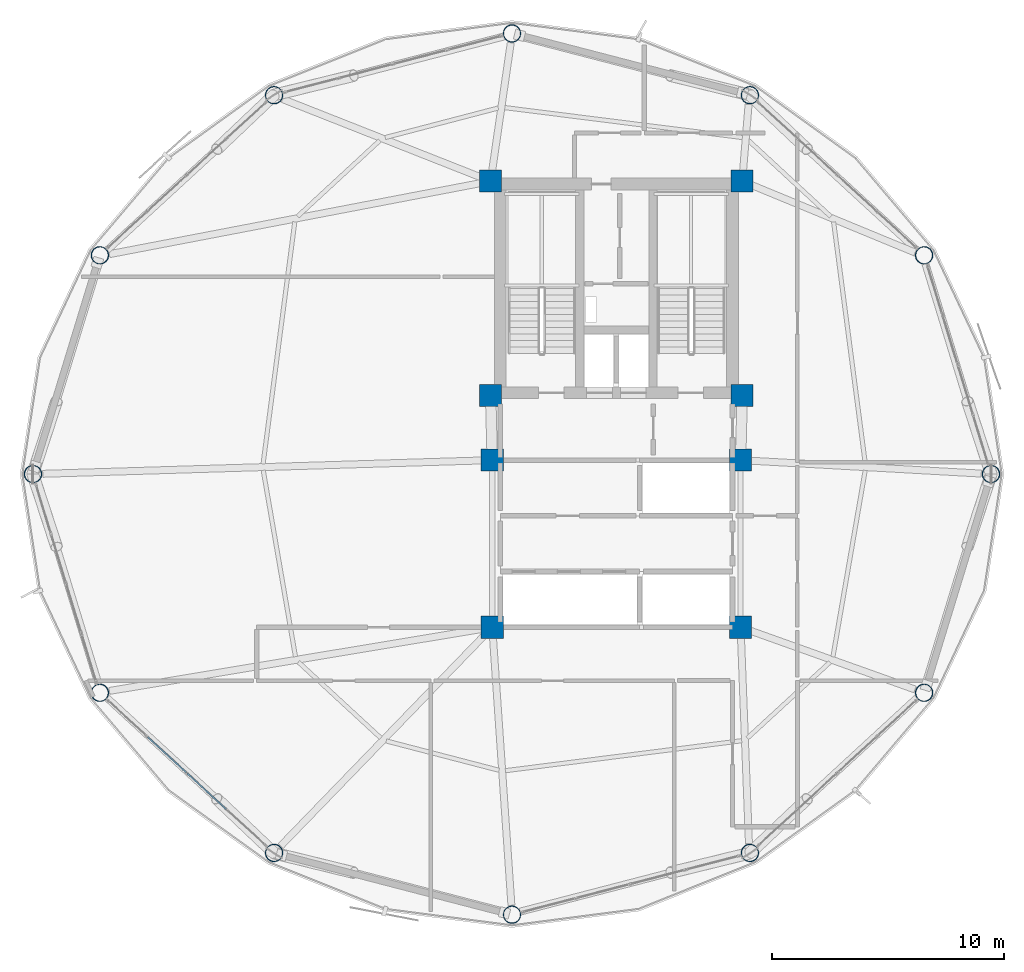
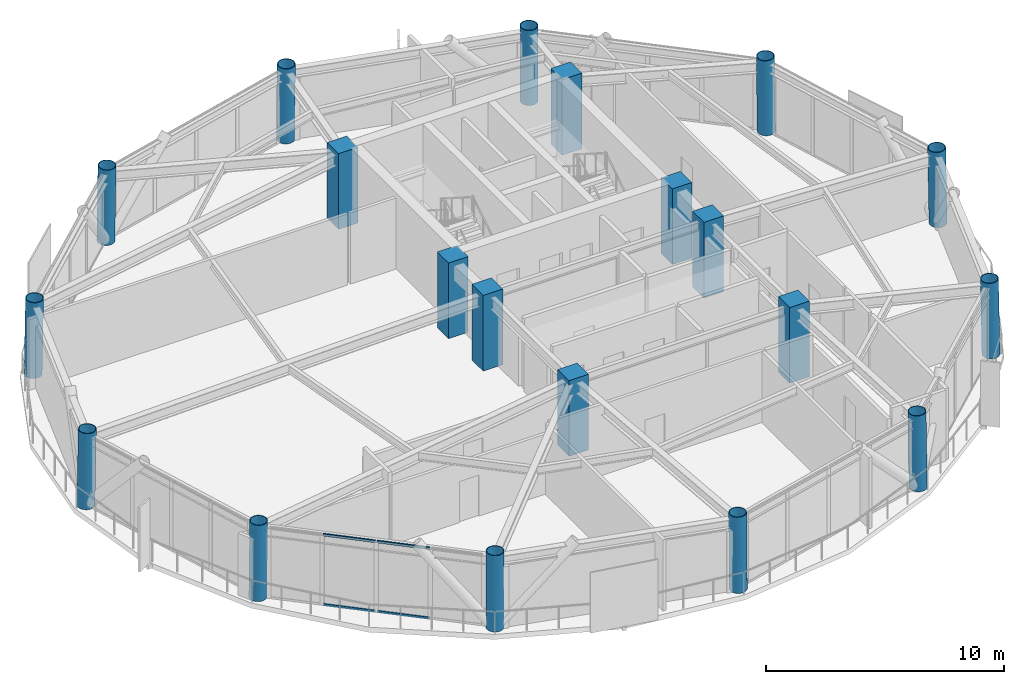
# One storey, part 1 of 25: 20 columns, 4 members, 1 element without a shape of its own.
"""IFC4 building model written with IfcOpenShell, lengths in metres."""

from ifc_helpers import new_model, si_unit, direction, frame, origin, origin_2d, place, context, subcontext, project, spatial, rectangle, hollow_rectangle, hollow_circle, extrude, material, layer, layer_set, material_profile, profile_set, type_object, element, aggregate, save


model = new_model("IFC4")

# Units and contexts
model_context = context("Model", 3, precision=1e-05, world=origin(), true_north=direction((0.0, 1.0)))
body_context = subcontext(model_context, "Body", "Model", "MODEL_VIEW")
ifc_project = project(units=[si_unit("LENGTHUNIT", "METRE"), si_unit("AREAUNIT", "SQUARE_METRE"), si_unit("VOLUMEUNIT", "CUBIC_METRE"), si_unit("PLANEANGLEUNIT", "RADIAN"), si_unit("MASSUNIT", "GRAM", prefix="KILO")], contexts=[model_context])

# Site, building, storey
site_placement = place(None, origin())
site = spatial("IfcSite", under=ifc_project, at=site_placement, CompositionType="ELEMENT")
building_placement = place(site_placement, origin())
building = spatial("IfcBuilding", under=site, at=building_placement, Name="Varnakorn Sky Granary", CompositionType="ELEMENT")
storey_placement = place(building_placement, frame((0.0, 0.0, 157.800048828125)))
storey = spatial("IfcBuildingStorey", under=building, at=storey_placement, Name="L39", CompositionType="ELEMENT", Elevation=157.800048828125)

# Columns
ifc_material_1 = material(Name="Steel S460M", Category="steel")
ifc_material_profile_1 = material_profile(ifc_material_1, hollow_circle(Radius=0.381103515625, WallThickness=0.028076171875, at=origin_2d()), Name="CHS 762x28")
ifc_profile_set_1 = profile_set([ifc_material_profile_1], Name="Steel S460M")
column_type_1 = type_object("IfcColumnType", Name="COL-DC-Z3", PredefinedType="COLUMN", material=ifc_profile_set_1)
for number, where, z_axis, x_axis, name in (
    (1, (19.14990234375, 0.0, 0.0), (-0.017260533083, 0.0, 0.999851025902), (0.0, -1.0, 0.0), "Drum Perimeter Column DC01 L39"),
    (2, (16.2666015625, 9.428955078125, 0.0), (-0.014992988439, -0.006173583475, 0.999868539941), (0.380749805254, -0.924678098475, 0.0), "Drum Perimeter Column DC02 L39"),
    (3, (8.757568359375, 16.33154296875, 0.0), (-0.008630730053, -0.010772663059, 0.999904725576), (0.780423354579, -0.625251459517, 0.0), "Drum Perimeter Column DC03 L39"),
):
    element("IfcColumn", number, at=place(storey_placement, frame(where, z_axis=z_axis, x_axis=x_axis)), inside=storey, type_object=column_type_1, Name=name, PredefinedType="COLUMN", context=body_context, shape_type="SweptSolid", body=[
        extrude(hollow_circle(Radius=0.381103515625, WallThickness=0.028076171875, at=origin_2d()), origin(), (0.0, 0.0, 1.0), 3.87548828125),
    ])
column_1_placement = place(storey_placement, frame((-1.5, 18.992919921875, 0.0), z_axis=(0.0, -0.012347848881, 0.999923762408), x_axis=(1.0, 0.0, 0.0)))
element("IfcColumn", 4, at=column_1_placement, inside=storey, type_object=column_type_1, Name="Drum Perimeter Column DC04 L39", PredefinedType="COLUMN", context=body_context, shape_type="SweptSolid", body=[
    extrude(hollow_circle(Radius=0.381103515625, WallThickness=0.028076171875, at=origin_2d()), origin(), (0.0, 0.0, 1.0), 3.875244140625),
])
for number, where, z_axis, x_axis, name in (
    (5, (-11.757568359375, 16.33154296875, 0.0), (0.008630730053, -0.010772663059, 0.999904725576), (0.780423354579, 0.625251459517, 0.0), "Drum Perimeter Column DC05 L39"),
    (6, (-19.2666015625, 9.428955078125, 0.0), (0.014992988439, -0.006173583475, 0.999868539941), (0.380749805254, 0.924678098475, 0.0), "Drum Perimeter Column DC06 L39"),
    (7, (-22.14990234375, 0.0, 0.0), (0.017260533083, 0.0, 0.999851025902), (0.0, 1.0, 0.0), "Drum Perimeter Column DC07 L39"),
    (8, (-19.2666015625, -9.428955078125, 0.0), (0.014992988439, 0.006173583475, 0.999868539941), (-0.380749805254, 0.924678098475, 0.0), "Drum Perimeter Column DC08 L39"),
    (9, (-11.757568359375, -16.33154296875, 0.0), (0.008630730053, 0.010772663059, 0.999904725576), (-0.780423354579, 0.625251459517, 0.0), "Drum Perimeter Column DC09 L39"),
):
    element("IfcColumn", number, at=place(storey_placement, frame(where, z_axis=z_axis, x_axis=x_axis)), inside=storey, type_object=column_type_1, Name=name, PredefinedType="COLUMN", context=body_context, shape_type="SweptSolid", body=[
        extrude(hollow_circle(Radius=0.381103515625, WallThickness=0.028076171875, at=origin_2d()), origin(), (0.0, 0.0, 1.0), 3.87548828125),
    ])
column_2_placement = place(storey_placement, frame((-1.5, -18.992919921875, 0.0), z_axis=(0.0, 0.012347848881, 0.999923762408), x_axis=(-1.0, 0.0, 0.0)))
element("IfcColumn", 10, at=column_2_placement, inside=storey, type_object=column_type_1, Name="Drum Perimeter Column DC10 L39", PredefinedType="COLUMN", context=body_context, shape_type="SweptSolid", body=[
    extrude(hollow_circle(Radius=0.381103515625, WallThickness=0.028076171875, at=origin_2d()), origin(), (0.0, 0.0, 1.0), 3.875244140625),
])
for number, where, z_axis, x_axis, name in (
    (11, (8.757568359375, -16.33154296875, 0.0), (-0.008630730053, 0.010772663059, 0.999904725576), (-0.780423354579, -0.625251459517, 0.0), "Drum Perimeter Column DC11 L39"),
    (12, (16.2666015625, -9.428955078125, 0.0), (-0.014992988439, 0.006173583475, 0.999868539941), (-0.380749805254, -0.924678098475, 0.0), "Drum Perimeter Column DC12 L39"),
):
    element("IfcColumn", number, at=place(storey_placement, frame(where, z_axis=z_axis, x_axis=x_axis)), inside=storey, type_object=column_type_1, Name=name, PredefinedType="COLUMN", context=body_context, shape_type="SweptSolid", body=[
        extrude(hollow_circle(Radius=0.381103515625, WallThickness=0.028076171875, at=origin_2d()), origin(), (0.0, 0.0, 1.0), 3.87548828125),
    ])
ifc_material_2 = material(Name="Concrete C50/60", Category="concrete")
ifc_material_profile_2 = material_profile(ifc_material_2, rectangle(XDim=0.949951171875, YDim=0.949951171875, at=origin_2d()), Name="RC 950x950")
ifc_profile_set_2 = profile_set([ifc_material_profile_2], Name="Concrete C50/60")
column_type_2 = type_object("IfcColumnType", Name="COL-MC-Z3", PredefinedType="COLUMN", material=ifc_profile_set_2)
for number, where, z_axis, x_axis, name in (
    (13, (-2.419921875, 12.6201171875, 0.0), (0.0, 0.0, 1.0), (1.0, 0.0, 0.0), "Backbone Mega-Column MC1 L39"),
    (14, (8.419921875, 12.6201171875, 0.0), (0.0, 0.0, 1.0), (1.0, 0.0, 0.0), "Backbone Mega-Column MC2 L39"),
    (15, (-2.419921875, 3.3798828125, 0.0), (0.0, 0.0, 1.0), (1.0, 0.0, 0.0), "Backbone Mega-Column MC3 L39"),
    (16, (8.419921875, 3.3798828125, 0.0), (0.0, 0.0, 1.0), (1.0, 0.0, 0.0), "Backbone Mega-Column MC4 L39"),
    (17, (-2.35009765625, 0.60009765625, 0.0), (0.0, 0.0, 1.0), (1.0, 0.0, 0.0), "Backbone Mega-Column MC5 L39"),
    (18, (8.35009765625, 0.60009765625, 0.0), (0.0, 0.0, 1.0), (1.0, 0.0, 0.0), "Backbone Mega-Column MC6 L39"),
    (19, (-2.35009765625, -6.60009765625, 0.0), (0.0, 0.0, 1.0), (1.0, 0.0, 0.0), "Backbone Mega-Column MC7 L39"),
    (20, (8.35009765625, -6.60009765625, 0.0), (0.0, 0.0, 1.0), (1.0, 0.0, 0.0), "Backbone Mega-Column MC8 L39"),
):
    element("IfcColumn", number, at=place(storey_placement, frame(where, z_axis=z_axis, x_axis=x_axis)), inside=storey, type_object=column_type_2, Name=name, PredefinedType="COLUMN", context=body_context, shape_type="SweptSolid", body=[
        extrude(rectangle(XDim=0.949951171875, YDim=0.949951171875, at=origin_2d()), origin(), (0.0, 0.0, 1.0), 3.875),
    ])

# Curtain wall, members
ifc_material_3 = material(Name="Anodised Bronze Aluminium Alloy 6063-T6", Category="aluminium")
ifc_layer = layer(ifc_material_3, 0.179931640625, Name="Anodised Bronze Aluminium Alloy 6063-T6")
ifc_layer_set = layer_set([ifc_layer], Name="Anodised Bronze Aluminium Alloy 6063-T6")
curtain_wall_type = type_object("IfcCurtainWallType", Name="CW-FRM-2", PredefinedType="USERDEFINED", material=ifc_layer_set)
curtain_wall_placement = place(storey_placement, origin())
curtain_wall = element("IfcCurtainWall", 21, at=curtain_wall_placement, inside=storey, type_object=curtain_wall_type, Name="Unitised Curtain Wall CW4 CW-L39-B08", ObjectType="CURTAIN WALL", PredefinedType="USERDEFINED")
ifc_material_profile_3 = material_profile(ifc_material_3, hollow_rectangle(XDim=0.06494140625, YDim=0.1201171875, WallThickness=0.00341796875, at=origin_2d()), Name="ALU TRAN 65x120")
ifc_profile_set_3 = profile_set([ifc_material_profile_3], Name="Anodised Bronze Aluminium Alloy 6063-T6")
member_type = type_object("IfcMemberType", Name="CW-FRM-2-TRAN", PredefinedType="USERDEFINED", material=ifc_profile_set_3)
member_1_placement = place(storey_placement, frame((-13.82275390625, -14.43310546875, 0.032470703125), z_axis=(-0.736247494984, 0.676712365877, 0.0), x_axis=(-0.676712365877, -0.736247494984, 0.0)))
member_1 = element("IfcMember", 22, at=member_1_placement, type_object=member_type, Name="CW4 transom 2.1", ObjectType="TRANSOM", PredefinedType="USERDEFINED", context=body_context, shape_type="SweptSolid", body=[
    extrude(hollow_rectangle(XDim=0.06494140625, YDim=0.1201171875, WallThickness=0.00341796875, at=origin_2d()), origin(), (0.0, 0.0, 1.0), 2.259521484375),
])
member_2_placement = place(storey_placement, frame((-13.82275390625, -14.43310546875, 3.607421875), z_axis=(-0.736247494984, 0.676712365877, 0.0), x_axis=(-0.676712365877, -0.736247494984, 0.0)))
member_2 = element("IfcMember", 23, at=member_2_placement, type_object=member_type, Name="CW4 transom 2.2", ObjectType="TRANSOM", PredefinedType="USERDEFINED", context=body_context, shape_type="SweptSolid", body=[
    extrude(hollow_rectangle(XDim=0.06494140625, YDim=0.1201171875, WallThickness=0.00341796875, at=origin_2d()), origin(), (0.0, 0.0, 1.0), 2.259521484375),
])
member_3_placement = place(storey_placement, frame((-15.537841796875, -12.8564453125, 0.032470703125), z_axis=(-0.736198009052, 0.676766201481, 0.0), x_axis=(-0.676766201481, -0.736198009052, 0.0)))
member_3 = element("IfcMember", 24, at=member_3_placement, type_object=member_type, Name="CW4 transom 3.1", ObjectType="TRANSOM", PredefinedType="USERDEFINED", context=body_context, shape_type="SweptSolid", body=[
    extrude(hollow_rectangle(XDim=0.06494140625, YDim=0.1201171875, WallThickness=0.00341796875, at=origin_2d()), origin(), (0.0, 0.0, 1.0), 2.25927734375),
])
member_4_placement = place(storey_placement, frame((-15.537841796875, -12.8564453125, 3.607421875), z_axis=(-0.736198009052, 0.676766201481, 0.0), x_axis=(-0.676766201481, -0.736198009052, 0.0)))
member_4 = element("IfcMember", 25, at=member_4_placement, type_object=member_type, Name="CW4 transom 3.2", ObjectType="TRANSOM", PredefinedType="USERDEFINED", context=body_context, shape_type="SweptSolid", body=[
    extrude(hollow_rectangle(XDim=0.06494140625, YDim=0.1201171875, WallThickness=0.00341796875, at=origin_2d()), origin(), (0.0, 0.0, 1.0), 2.25927734375),
])
aggregate(curtain_wall, [member_1, member_2, member_3, member_4])

save(model, "model.ifc")
